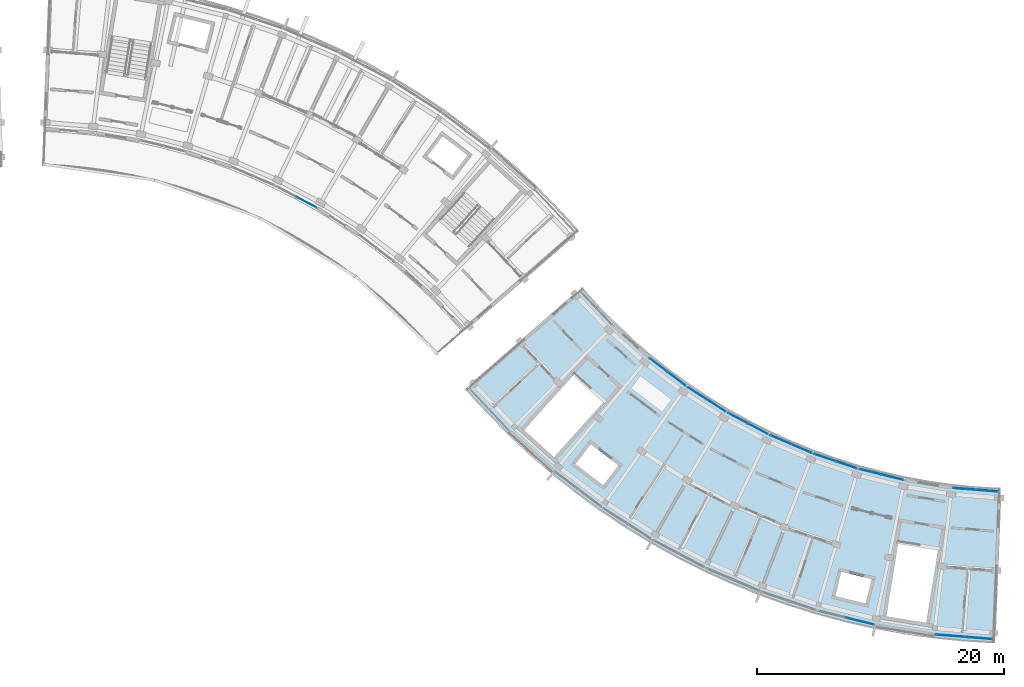
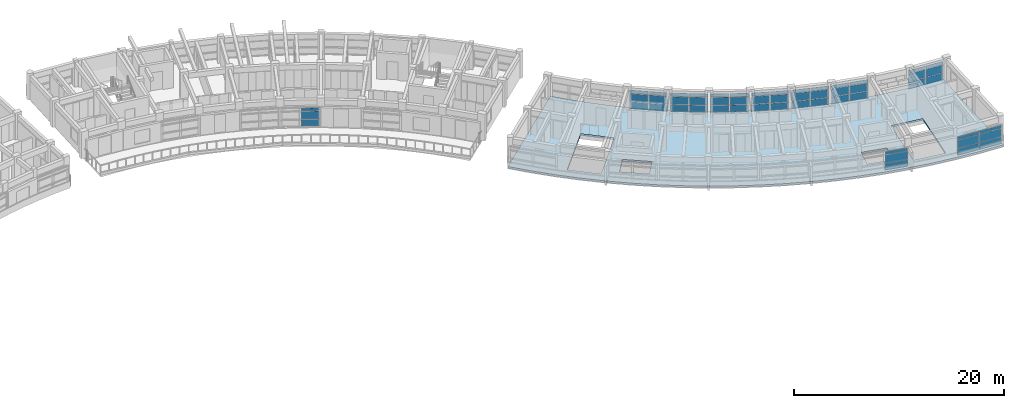
# One storey, part 18 of 38: 54 plates, 1 slab, 10 elements without a shape of their own.
"""IFC4 building model written with IfcOpenShell, lengths in metres."""

from ifc_helpers import new_model, si_unit, direction, frame, origin, origin_2d, place, context, subcontext, project, spatial, polyline, rectangle, outline, extrude, material, layer, layer_set, type_object, element, aggregate, save


model = new_model("IFC4")

# Units and contexts
model_context = context("Model", 3, precision=1e-05, world=origin(), true_north=direction((0.0, 1.0)))
body_context = subcontext(model_context, "Body", "Model", "MODEL_VIEW")
ifc_project = project(units=[si_unit("LENGTHUNIT", "METRE"), si_unit("AREAUNIT", "SQUARE_METRE"), si_unit("VOLUMEUNIT", "CUBIC_METRE"), si_unit("PLANEANGLEUNIT", "RADIAN"), si_unit("MASSUNIT", "GRAM", prefix="KILO")], contexts=[model_context])

# Site, building, storey
site_placement = place(None, origin())
site = spatial("IfcSite", under=ifc_project, at=site_placement, CompositionType="ELEMENT")
building_placement = place(site_placement, origin())
building = spatial("IfcBuilding", under=site, at=building_placement, Name="Zimvara Arc Housing Community", CompositionType="ELEMENT")
storey_placement = place(building_placement, frame((0.0, 0.0, 29.800048828125)))
storey = spatial("IfcBuildingStorey", under=building, at=storey_placement, Name="L09", CompositionType="ELEMENT", Elevation=29.800048828125)

# Curtain wall, plates
ifc_material_1 = material(Name="Anodised Aluminium AW-6063", Category="aluminium")
curtain_wall_type_1 = type_object("IfcCurtainWallType", Name="CW-SYS-08", PredefinedType="USERDEFINED", material=ifc_material_1)
curtain_wall_1_placement = place(storey_placement, origin())
curtain_wall_1 = element("IfcCurtainWall", 1, at=curtain_wall_1_placement, inside=storey, type_object=curtain_wall_type_1, Name="cw:blkC:L09:in:b2", ObjectType="CURTAIN WALL", PredefinedType="USERDEFINED")
ifc_material_2 = material(Name="Pale-Gold Anodised Aluminium Spandrel Panel", Category="aluminium")
ifc_layer_1 = layer(ifc_material_2, 0.035888671875)
ifc_layer_set_1 = layer_set([ifc_layer_1], Name="Pale-Gold Anodised Aluminium Spandrel Panel")
plate_type_1 = type_object("IfcPlateType", Name="CWP-GLD-36", PredefinedType="CURTAIN_PANEL", material=ifc_layer_set_1)
plate_1_placement = place(storey_placement, frame((96.53466796875, 72.728759765625, 0.06494140625), z_axis=(0.0, 0.0, 1.0), x_axis=(0.795473930895, -0.605987809503, 0.0)))
plate_1 = element("IfcPlate", 2, at=plate_1_placement, type_object=plate_type_1, Name="CW08 panel 1.1", PredefinedType="CURTAIN_PANEL", context=body_context, shape_type="SweptSolid", body=[
    extrude(rectangle(XDim=1.778564453125, YDim=0.035888671875, at=origin_2d()), origin(), (0.0, 0.0, 1.0), 0.75244140625),
])
plate_2_placement = place(storey_placement, frame((96.53466796875, 72.728759765625, 0.88232421875), z_axis=(0.0, 0.0, 1.0), x_axis=(0.795473930895, -0.605987809503, 0.0)))
plate_2 = element("IfcPlate", 3, at=plate_2_placement, type_object=plate_type_1, Name="CW08 panel 1.2", PredefinedType="CURTAIN_PANEL", context=body_context, shape_type="SweptSolid", body=[
    extrude(rectangle(XDim=1.778564453125, YDim=0.035888671875, at=origin_2d()), origin(), (0.0, 0.0, 1.0), 0.885009765625),
])
plate_3_placement = place(storey_placement, frame((96.53466796875, 72.728759765625, 1.83251953125), z_axis=(0.0, 0.0, 1.0), x_axis=(0.795473930895, -0.605987809503, 0.0)))
plate_3 = element("IfcPlate", 4, at=plate_3_placement, type_object=plate_type_1, Name="CW08 panel 1.3", PredefinedType="CURTAIN_PANEL", context=body_context, shape_type="SweptSolid", body=[
    extrude(rectangle(XDim=1.778564453125, YDim=0.035888671875, at=origin_2d()), origin(), (0.0, 0.0, 1.0), 0.3525390625),
])
plate_4_placement = place(storey_placement, frame((98.001220703125, 71.611572265625, 0.06494140625), z_axis=(0.0, 0.0, 1.0), x_axis=(0.795473930895, -0.605987809503, 0.0)))
plate_4 = element("IfcPlate", 5, at=plate_4_placement, type_object=plate_type_1, Name="CW08 panel 2.1", PredefinedType="CURTAIN_PANEL", context=body_context, shape_type="SweptSolid", body=[
    extrude(rectangle(XDim=1.778564453125, YDim=0.035888671875, at=origin_2d()), origin(), (0.0, 0.0, 1.0), 0.75244140625),
])
plate_5_placement = place(storey_placement, frame((98.001220703125, 71.611572265625, 0.88232421875), z_axis=(0.0, 0.0, 1.0), x_axis=(0.795473930895, -0.605987809503, 0.0)))
plate_5 = element("IfcPlate", 6, at=plate_5_placement, type_object=plate_type_1, Name="CW08 panel 2.2", PredefinedType="CURTAIN_PANEL", context=body_context, shape_type="SweptSolid", body=[
    extrude(rectangle(XDim=1.778564453125, YDim=0.035888671875, at=origin_2d()), origin(), (0.0, 0.0, 1.0), 0.885009765625),
])
plate_6_placement = place(storey_placement, frame((98.001220703125, 71.611572265625, 1.83251953125), z_axis=(0.0, 0.0, 1.0), x_axis=(0.795473930895, -0.605987809503, 0.0)))
plate_6 = element("IfcPlate", 7, at=plate_6_placement, type_object=plate_type_1, Name="CW08 panel 2.3", PredefinedType="CURTAIN_PANEL", context=body_context, shape_type="SweptSolid", body=[
    extrude(rectangle(XDim=1.778564453125, YDim=0.035888671875, at=origin_2d()), origin(), (0.0, 0.0, 1.0), 0.3525390625),
])
aggregate(curtain_wall_1, [plate_1, plate_2, plate_3, plate_4, plate_5, plate_6])

ifc_material_3 = material(Name="Anodised Aluminium AW-6063", Category="aluminium")
curtain_wall_type_2 = type_object("IfcCurtainWallType", Name="CW-SYS-04", PredefinedType="USERDEFINED", material=ifc_material_3)
curtain_wall_2_placement = place(storey_placement, origin())
curtain_wall_2 = element("IfcCurtainWall", 8, at=curtain_wall_2_placement, inside=storey, type_object=curtain_wall_type_2, Name="cw:blkC:L09:in:b4", ObjectType="CURTAIN WALL", PredefinedType="USERDEFINED")
plate_7_placement = place(storey_placement, frame((102.965576171875, 68.43408203125, 0.06494140625), z_axis=(0.0, 0.0, 1.0), x_axis=(0.883438518424, -0.468547099195, 0.0)))
plate_7 = element("IfcPlate", 9, at=plate_7_placement, type_object=plate_type_1, Name="CW04 panel 1.1", PredefinedType="CURTAIN_PANEL", context=body_context, shape_type="SweptSolid", body=[
    extrude(rectangle(XDim=1.778564453125, YDim=0.035888671875, at=origin_2d()), origin(), (0.0, 0.0, 1.0), 0.75244140625),
])
plate_8_placement = place(storey_placement, frame((102.965576171875, 68.43408203125, 0.88232421875), z_axis=(0.0, 0.0, 1.0), x_axis=(0.883438518424, -0.468547099195, 0.0)))
plate_8 = element("IfcPlate", 10, at=plate_8_placement, type_object=plate_type_1, Name="CW04 panel 1.2", PredefinedType="CURTAIN_PANEL", context=body_context, shape_type="SweptSolid", body=[
    extrude(rectangle(XDim=1.778564453125, YDim=0.035888671875, at=origin_2d()), origin(), (0.0, 0.0, 1.0), 0.885009765625),
])
plate_9_placement = place(storey_placement, frame((102.965576171875, 68.43408203125, 1.83251953125), z_axis=(0.0, 0.0, 1.0), x_axis=(0.883438518424, -0.468547099195, 0.0)))
plate_9 = element("IfcPlate", 11, at=plate_9_placement, type_object=plate_type_1, Name="CW04 panel 1.3", PredefinedType="CURTAIN_PANEL", context=body_context, shape_type="SweptSolid", body=[
    extrude(rectangle(XDim=1.778564453125, YDim=0.035888671875, at=origin_2d()), origin(), (0.0, 0.0, 1.0), 0.3525390625),
])
plate_10_placement = place(storey_placement, frame((104.594482421875, 67.5703125, 0.06494140625), z_axis=(0.0, 0.0, 1.0), x_axis=(0.883438518424, -0.468547099195, 0.0)))
plate_10 = element("IfcPlate", 12, at=plate_10_placement, type_object=plate_type_1, Name="CW04 panel 2.1", PredefinedType="CURTAIN_PANEL", context=body_context, shape_type="SweptSolid", body=[
    extrude(rectangle(XDim=1.778564453125, YDim=0.035888671875, at=origin_2d()), origin(), (0.0, 0.0, 1.0), 0.75244140625),
])
plate_11_placement = place(storey_placement, frame((104.594482421875, 67.5703125, 0.88232421875), z_axis=(0.0, 0.0, 1.0), x_axis=(0.883438518424, -0.468547099195, 0.0)))
plate_11 = element("IfcPlate", 13, at=plate_11_placement, type_object=plate_type_1, Name="CW04 panel 2.2", PredefinedType="CURTAIN_PANEL", context=body_context, shape_type="SweptSolid", body=[
    extrude(rectangle(XDim=1.778564453125, YDim=0.035888671875, at=origin_2d()), origin(), (0.0, 0.0, 1.0), 0.885009765625),
])
plate_12_placement = place(storey_placement, frame((104.594482421875, 67.5703125, 1.83251953125), z_axis=(0.0, 0.0, 1.0), x_axis=(0.883438518424, -0.468547099195, 0.0)))
plate_12 = element("IfcPlate", 14, at=plate_12_placement, type_object=plate_type_1, Name="CW04 panel 2.3", PredefinedType="CURTAIN_PANEL", context=body_context, shape_type="SweptSolid", body=[
    extrude(rectangle(XDim=1.778564453125, YDim=0.035888671875, at=origin_2d()), origin(), (0.0, 0.0, 1.0), 0.3525390625),
])
aggregate(curtain_wall_2, [plate_7, plate_8, plate_9, plate_10, plate_11, plate_12])

curtain_wall_3_placement = place(storey_placement, origin())
curtain_wall_3 = element("IfcCurtainWall", 15, at=curtain_wall_3_placement, inside=storey, type_object=curtain_wall_type_1, Name="cw:blkC:L09:in:b6", ObjectType="CURTAIN WALL", PredefinedType="USERDEFINED")
plate_13_placement = place(storey_placement, frame((110.009521484375, 65.24267578125, 0.06494140625), z_axis=(0.0, 0.0, 1.0), x_axis=(0.94788021002, -0.318626909491, 0.0)))
plate_13 = element("IfcPlate", 16, at=plate_13_placement, type_object=plate_type_1, Name="CW08 panel 1.1", PredefinedType="CURTAIN_PANEL", context=body_context, shape_type="SweptSolid", body=[
    extrude(rectangle(XDim=1.778564453125, YDim=0.035888671875, at=origin_2d()), origin(), (0.0, 0.0, 1.0), 0.75244140625),
])
plate_14_placement = place(storey_placement, frame((110.009521484375, 65.24267578125, 0.88232421875), z_axis=(0.0, 0.0, 1.0), x_axis=(0.94788021002, -0.318626909491, 0.0)))
plate_14 = element("IfcPlate", 17, at=plate_14_placement, type_object=plate_type_1, Name="CW08 panel 1.2", PredefinedType="CURTAIN_PANEL", context=body_context, shape_type="SweptSolid", body=[
    extrude(rectangle(XDim=1.778564453125, YDim=0.035888671875, at=origin_2d()), origin(), (0.0, 0.0, 1.0), 0.885009765625),
])
plate_15_placement = place(storey_placement, frame((110.009521484375, 65.24267578125, 1.83251953125), z_axis=(0.0, 0.0, 1.0), x_axis=(0.94788021002, -0.318626909491, 0.0)))
plate_15 = element("IfcPlate", 18, at=plate_15_placement, type_object=plate_type_1, Name="CW08 panel 1.3", PredefinedType="CURTAIN_PANEL", context=body_context, shape_type="SweptSolid", body=[
    extrude(rectangle(XDim=1.778564453125, YDim=0.035888671875, at=origin_2d()), origin(), (0.0, 0.0, 1.0), 0.3525390625),
])
plate_16_placement = place(storey_placement, frame((111.757080078125, 64.6552734375, 0.06494140625), z_axis=(0.0, 0.0, 1.0), x_axis=(0.94788021002, -0.318626909491, 0.0)))
plate_16 = element("IfcPlate", 19, at=plate_16_placement, type_object=plate_type_1, Name="CW08 panel 2.1", PredefinedType="CURTAIN_PANEL", context=body_context, shape_type="SweptSolid", body=[
    extrude(rectangle(XDim=1.778564453125, YDim=0.035888671875, at=origin_2d()), origin(), (0.0, 0.0, 1.0), 0.75244140625),
])
plate_17_placement = place(storey_placement, frame((111.757080078125, 64.6552734375, 0.88232421875), z_axis=(0.0, 0.0, 1.0), x_axis=(0.94788021002, -0.318626909491, 0.0)))
plate_17 = element("IfcPlate", 20, at=plate_17_placement, type_object=plate_type_1, Name="CW08 panel 2.2", PredefinedType="CURTAIN_PANEL", context=body_context, shape_type="SweptSolid", body=[
    extrude(rectangle(XDim=1.778564453125, YDim=0.035888671875, at=origin_2d()), origin(), (0.0, 0.0, 1.0), 0.885009765625),
])
plate_18_placement = place(storey_placement, frame((111.757080078125, 64.6552734375, 1.83251953125), z_axis=(0.0, 0.0, 1.0), x_axis=(0.94788021002, -0.318626909491, 0.0)))
plate_18 = element("IfcPlate", 21, at=plate_18_placement, type_object=plate_type_1, Name="CW08 panel 2.3", PredefinedType="CURTAIN_PANEL", context=body_context, shape_type="SweptSolid", body=[
    extrude(rectangle(XDim=1.778564453125, YDim=0.035888671875, at=origin_2d()), origin(), (0.0, 0.0, 1.0), 0.3525390625),
])
aggregate(curtain_wall_3, [plate_13, plate_14, plate_15, plate_16, plate_17, plate_18])

curtain_wall_4_placement = place(storey_placement, origin())
curtain_wall_4 = element("IfcCurtainWall", 22, at=curtain_wall_4_placement, inside=storey, type_object=curtain_wall_type_2, Name="cw:blkC:L09:in:b9", ObjectType="CURTAIN WALL", PredefinedType="USERDEFINED")
plate_19_placement = place(storey_placement, frame((121.310791015625, 62.701171875, 0.06494140625), z_axis=(0.0, 0.0, 1.0), x_axis=(0.996862312384, -0.079155101851, 0.0)))
plate_19 = element("IfcPlate", 23, at=plate_19_placement, type_object=plate_type_1, Name="CW04 panel 1.1", PredefinedType="CURTAIN_PANEL", context=body_context, shape_type="SweptSolid", body=[
    extrude(rectangle(XDim=1.778564453125, YDim=0.035888671875, at=origin_2d()), origin(), (0.0, 0.0, 1.0), 0.75244140625),
])
plate_20_placement = place(storey_placement, frame((121.310791015625, 62.701171875, 0.88232421875), z_axis=(0.0, 0.0, 1.0), x_axis=(0.996862312384, -0.079155101851, 0.0)))
plate_20 = element("IfcPlate", 24, at=plate_20_placement, type_object=plate_type_1, Name="CW04 panel 1.2", PredefinedType="CURTAIN_PANEL", context=body_context, shape_type="SweptSolid", body=[
    extrude(rectangle(XDim=1.778564453125, YDim=0.035888671875, at=origin_2d()), origin(), (0.0, 0.0, 1.0), 0.885009765625),
])
plate_21_placement = place(storey_placement, frame((121.310791015625, 62.701171875, 1.83251953125), z_axis=(0.0, 0.0, 1.0), x_axis=(0.996862312384, -0.079155101851, 0.0)))
plate_21 = element("IfcPlate", 25, at=plate_21_placement, type_object=plate_type_1, Name="CW04 panel 1.3", PredefinedType="CURTAIN_PANEL", context=body_context, shape_type="SweptSolid", body=[
    extrude(rectangle(XDim=1.778564453125, YDim=0.035888671875, at=origin_2d()), origin(), (0.0, 0.0, 1.0), 0.3525390625),
])
plate_22_placement = place(storey_placement, frame((123.1484375, 62.55517578125, 0.06494140625), z_axis=(0.0, 0.0, 1.0), x_axis=(0.996862312384, -0.079155101851, 0.0)))
plate_22 = element("IfcPlate", 26, at=plate_22_placement, type_object=plate_type_1, Name="CW04 panel 2.1", PredefinedType="CURTAIN_PANEL", context=body_context, shape_type="SweptSolid", body=[
    extrude(rectangle(XDim=1.778564453125, YDim=0.035888671875, at=origin_2d()), origin(), (0.0, 0.0, 1.0), 0.75244140625),
])
plate_23_placement = place(storey_placement, frame((123.1484375, 62.55517578125, 0.88232421875), z_axis=(0.0, 0.0, 1.0), x_axis=(0.996862312384, -0.079155101851, 0.0)))
plate_23 = element("IfcPlate", 27, at=plate_23_placement, type_object=plate_type_1, Name="CW04 panel 2.2", PredefinedType="CURTAIN_PANEL", context=body_context, shape_type="SweptSolid", body=[
    extrude(rectangle(XDim=1.778564453125, YDim=0.035888671875, at=origin_2d()), origin(), (0.0, 0.0, 1.0), 0.885009765625),
])
plate_24_placement = place(storey_placement, frame((123.1484375, 62.55517578125, 1.83251953125), z_axis=(0.0, 0.0, 1.0), x_axis=(0.996862312384, -0.079155101851, 0.0)))
plate_24 = element("IfcPlate", 28, at=plate_24_placement, type_object=plate_type_1, Name="CW04 panel 2.3", PredefinedType="CURTAIN_PANEL", context=body_context, shape_type="SweptSolid", body=[
    extrude(rectangle(XDim=1.778564453125, YDim=0.035888671875, at=origin_2d()), origin(), (0.0, 0.0, 1.0), 0.3525390625),
])
aggregate(curtain_wall_4, [plate_19, plate_20, plate_21, plate_22, plate_23, plate_24])

ifc_material_4 = material(Name="Anodised Aluminium AW-6063", Category="aluminium")
curtain_wall_type_3 = type_object("IfcCurtainWallType", Name="CW-SYS-01", PredefinedType="USERDEFINED", material=ifc_material_4)
curtain_wall_5_placement = place(storey_placement, origin())
curtain_wall_5 = element("IfcCurtainWall", 29, at=curtain_wall_5_placement, inside=storey, type_object=curtain_wall_type_3, Name="cw:blkC:L09:out:b7", ObjectType="CURTAIN WALL", PredefinedType="USERDEFINED")
ifc_material_5 = material(Name="Solar Control Low-E Double Glazing", Category="glass")
ifc_layer_2 = layer(ifc_material_5, 0.02392578125)
ifc_layer_set_2 = layer_set([ifc_layer_2], Name="Solar Control Low-E Double Glazing")
plate_type_2 = type_object("IfcPlateType", Name="CWP-GLZ-24", PredefinedType="CURTAIN_PANEL", material=ifc_layer_set_2)
plate_25_placement = place(storey_placement, frame((112.85888671875, 51.98681640625, 0.06494140625), z_axis=(0.0, 0.0, 1.0), x_axis=(0.970716068627, -0.240229711131, 0.0)))
plate_25 = element("IfcPlate", 30, at=plate_25_placement, type_object=plate_type_2, Name="CW01 panel 2.1", PredefinedType="CURTAIN_PANEL", context=body_context, shape_type="SweptSolid", body=[
    extrude(rectangle(XDim=2.266845703125, YDim=0.02392578125, at=origin_2d()), origin(), (0.0, 0.0, 1.0), 0.75244140625),
])
plate_26_placement = place(storey_placement, frame((112.85888671875, 51.98681640625, 0.88232421875), z_axis=(0.0, 0.0, 1.0), x_axis=(0.970716068627, -0.240229711131, 0.0)))
plate_26 = element("IfcPlate", 31, at=plate_26_placement, type_object=plate_type_2, Name="CW01 panel 2.2", PredefinedType="CURTAIN_PANEL", context=body_context, shape_type="SweptSolid", body=[
    extrude(rectangle(XDim=2.266845703125, YDim=0.02392578125, at=origin_2d()), origin(), (0.0, 0.0, 1.0), 0.885009765625),
])
plate_27_placement = place(storey_placement, frame((112.85888671875, 51.98681640625, 1.83251953125), z_axis=(0.0, 0.0, 1.0), x_axis=(0.970716068627, -0.240229711131, 0.0)))
plate_27 = element("IfcPlate", 32, at=plate_27_placement, type_object=plate_type_2, Name="CW01 panel 2.3", PredefinedType="CURTAIN_PANEL", context=body_context, shape_type="SweptSolid", body=[
    extrude(rectangle(XDim=2.266845703125, YDim=0.02392578125, at=origin_2d()), origin(), (0.0, 0.0, 1.0), 0.3525390625),
])
aggregate(curtain_wall_5, [plate_25, plate_26, plate_27])

ifc_material_6 = material(Name="Anodised Aluminium AW-6063", Category="aluminium")
curtain_wall_type_4 = type_object("IfcCurtainWallType", Name="CW-SYS-02", PredefinedType="USERDEFINED", material=ifc_material_6)
curtain_wall_6_placement = place(storey_placement, origin())
curtain_wall_6 = element("IfcCurtainWall", 33, at=curtain_wall_6_placement, inside=storey, type_object=curtain_wall_type_4, Name="cw:blkB:L09:in:b5", ObjectType="CURTAIN WALL", PredefinedType="USERDEFINED")
ifc_material_7 = material(Name="Solar Control Low-E Double Glazing", Category="glass")
ifc_layer_3 = layer(ifc_material_7, 0.028076171875)
ifc_layer_set_3 = layer_set([ifc_layer_3], Name="Solar Control Low-E Double Glazing")
plate_type_3 = type_object("IfcPlateType", Name="CWP-GLZ-28", PredefinedType="CURTAIN_PANEL", material=ifc_layer_set_3)
plate_28_placement = place(storey_placement, frame((68.014404296875, 85.92578125, 0.06494140625), z_axis=(0.0, 0.0, 1.0), x_axis=(0.883438518424, -0.468547099195, 0.0)))
plate_28 = element("IfcPlate", 34, at=plate_28_placement, type_object=plate_type_3, Name="CW02 panel 2.1", PredefinedType="CURTAIN_PANEL", context=body_context, shape_type="SweptSolid", body=[
    extrude(rectangle(XDim=1.778564453125, YDim=0.028076171875, at=origin_2d()), origin(), (0.0, 0.0, 1.0), 0.75244140625),
])
plate_29_placement = place(storey_placement, frame((68.014404296875, 85.92578125, 0.88232421875), z_axis=(0.0, 0.0, 1.0), x_axis=(0.883438518424, -0.468547099195, 0.0)))
plate_29 = element("IfcPlate", 35, at=plate_29_placement, type_object=plate_type_3, Name="CW02 panel 2.2", PredefinedType="CURTAIN_PANEL", context=body_context, shape_type="SweptSolid", body=[
    extrude(rectangle(XDim=1.778564453125, YDim=0.028076171875, at=origin_2d()), origin(), (0.0, 0.0, 1.0), 0.885009765625),
])
plate_30_placement = place(storey_placement, frame((68.014404296875, 85.92578125, 1.83251953125), z_axis=(0.0, 0.0, 1.0), x_axis=(0.883438518424, -0.468547099195, 0.0)))
plate_30 = element("IfcPlate", 36, at=plate_30_placement, type_object=plate_type_3, Name="CW02 panel 2.3", PredefinedType="CURTAIN_PANEL", context=body_context, shape_type="SweptSolid", body=[
    extrude(rectangle(XDim=1.778564453125, YDim=0.028076171875, at=origin_2d()), origin(), (0.0, 0.0, 1.0), 0.3525390625),
])
aggregate(curtain_wall_6, [plate_28, plate_29, plate_30])

curtain_wall_7_placement = place(storey_placement, origin())
curtain_wall_7 = element("IfcCurtainWall", 37, at=curtain_wall_7_placement, inside=storey, type_object=curtain_wall_type_4, Name="cw:blkC:L09:in:b3", ObjectType="CURTAIN WALL", PredefinedType="USERDEFINED")
plate_31_placement = place(storey_placement, frame((99.662353515625, 70.449951171875, 0.06494140625), z_axis=(0.0, 0.0, 1.0), x_axis=(0.842264092079, -0.539065115913, 0.0)))
plate_31 = element("IfcPlate", 38, at=plate_31_placement, type_object=plate_type_3, Name="CW02 panel 1.1", PredefinedType="CURTAIN_PANEL", context=body_context, shape_type="SweptSolid", body=[
    extrude(rectangle(XDim=1.778564453125, YDim=0.028076171875, at=origin_2d()), origin(), (0.0, 0.0, 1.0), 0.75244140625),
])
plate_32_placement = place(storey_placement, frame((99.662353515625, 70.449951171875, 0.88232421875), z_axis=(0.0, 0.0, 1.0), x_axis=(0.842264092079, -0.539065115913, 0.0)))
plate_32 = element("IfcPlate", 39, at=plate_32_placement, type_object=plate_type_3, Name="CW02 panel 1.2", PredefinedType="CURTAIN_PANEL", context=body_context, shape_type="SweptSolid", body=[
    extrude(rectangle(XDim=1.778564453125, YDim=0.028076171875, at=origin_2d()), origin(), (0.0, 0.0, 1.0), 0.885009765625),
])
plate_33_placement = place(storey_placement, frame((99.662353515625, 70.449951171875, 1.83251953125), z_axis=(0.0, 0.0, 1.0), x_axis=(0.842264092079, -0.539065115913, 0.0)))
plate_33 = element("IfcPlate", 40, at=plate_33_placement, type_object=plate_type_3, Name="CW02 panel 1.3", PredefinedType="CURTAIN_PANEL", context=body_context, shape_type="SweptSolid", body=[
    extrude(rectangle(XDim=1.778564453125, YDim=0.028076171875, at=origin_2d()), origin(), (0.0, 0.0, 1.0), 0.3525390625),
])
plate_34_placement = place(storey_placement, frame((101.21533203125, 69.456298828125, 0.06494140625), z_axis=(0.0, 0.0, 1.0), x_axis=(0.842264092079, -0.539065115913, 0.0)))
plate_34 = element("IfcPlate", 41, at=plate_34_placement, type_object=plate_type_3, Name="CW02 panel 2.1", PredefinedType="CURTAIN_PANEL", context=body_context, shape_type="SweptSolid", body=[
    extrude(rectangle(XDim=1.778564453125, YDim=0.028076171875, at=origin_2d()), origin(), (0.0, 0.0, 1.0), 0.75244140625),
])
plate_35_placement = place(storey_placement, frame((101.21533203125, 69.456298828125, 0.88232421875), z_axis=(0.0, 0.0, 1.0), x_axis=(0.842264092079, -0.539065115913, 0.0)))
plate_35 = element("IfcPlate", 42, at=plate_35_placement, type_object=plate_type_3, Name="CW02 panel 2.2", PredefinedType="CURTAIN_PANEL", context=body_context, shape_type="SweptSolid", body=[
    extrude(rectangle(XDim=1.778564453125, YDim=0.028076171875, at=origin_2d()), origin(), (0.0, 0.0, 1.0), 0.885009765625),
])
plate_36_placement = place(storey_placement, frame((101.21533203125, 69.456298828125, 1.83251953125), z_axis=(0.0, 0.0, 1.0), x_axis=(0.842264092079, -0.539065115913, 0.0)))
plate_36 = element("IfcPlate", 43, at=plate_36_placement, type_object=plate_type_3, Name="CW02 panel 2.3", PredefinedType="CURTAIN_PANEL", context=body_context, shape_type="SweptSolid", body=[
    extrude(rectangle(XDim=1.778564453125, YDim=0.028076171875, at=origin_2d()), origin(), (0.0, 0.0, 1.0), 0.3525390625),
])
aggregate(curtain_wall_7, [plate_31, plate_32, plate_33, plate_34, plate_35, plate_36])

ifc_material_8 = material(Name="Anodised Aluminium AW-6063", Category="aluminium")
curtain_wall_type_5 = type_object("IfcCurtainWallType", Name="CW-SYS-06", PredefinedType="USERDEFINED", material=ifc_material_8)
curtain_wall_8_placement = place(storey_placement, origin())
curtain_wall_8 = element("IfcCurtainWall", 44, at=curtain_wall_8_placement, inside=storey, type_object=curtain_wall_type_5, Name="cw:blkC:L09:in:b5", ObjectType="CURTAIN WALL", PredefinedType="USERDEFINED")
plate_37_placement = place(storey_placement, frame((106.42236328125, 66.694580078125, 0.06494140625), z_axis=(0.0, 0.0, 1.0), x_axis=(0.918722411261, -0.394903951674, 0.0)))
plate_37 = element("IfcPlate", 45, at=plate_37_placement, type_object=plate_type_3, Name="CW06 panel 1.1", PredefinedType="CURTAIN_PANEL", context=body_context, shape_type="SweptSolid", body=[
    extrude(rectangle(XDim=1.778564453125, YDim=0.028076171875, at=origin_2d()), origin(), (0.0, 0.0, 1.0), 0.75244140625),
])
plate_38_placement = place(storey_placement, frame((106.42236328125, 66.694580078125, 0.88232421875), z_axis=(0.0, 0.0, 1.0), x_axis=(0.918722411261, -0.394903951674, 0.0)))
plate_38 = element("IfcPlate", 46, at=plate_38_placement, type_object=plate_type_3, Name="CW06 panel 1.2", PredefinedType="CURTAIN_PANEL", context=body_context, shape_type="SweptSolid", body=[
    extrude(rectangle(XDim=1.778564453125, YDim=0.028076171875, at=origin_2d()), origin(), (0.0, 0.0, 1.0), 0.885009765625),
])
plate_39_placement = place(storey_placement, frame((106.42236328125, 66.694580078125, 1.83251953125), z_axis=(0.0, 0.0, 1.0), x_axis=(0.918722411261, -0.394903951674, 0.0)))
plate_39 = element("IfcPlate", 47, at=plate_39_placement, type_object=plate_type_3, Name="CW06 panel 1.3", PredefinedType="CURTAIN_PANEL", context=body_context, shape_type="SweptSolid", body=[
    extrude(rectangle(XDim=1.778564453125, YDim=0.028076171875, at=origin_2d()), origin(), (0.0, 0.0, 1.0), 0.3525390625),
])
plate_40_placement = place(storey_placement, frame((108.1162109375, 65.966552734375, 0.06494140625), z_axis=(0.0, 0.0, 1.0), x_axis=(0.918722411261, -0.394903951674, 0.0)))
plate_40 = element("IfcPlate", 48, at=plate_40_placement, type_object=plate_type_3, Name="CW06 panel 2.1", PredefinedType="CURTAIN_PANEL", context=body_context, shape_type="SweptSolid", body=[
    extrude(rectangle(XDim=1.778564453125, YDim=0.028076171875, at=origin_2d()), origin(), (0.0, 0.0, 1.0), 0.75244140625),
])
plate_41_placement = place(storey_placement, frame((108.1162109375, 65.966552734375, 0.88232421875), z_axis=(0.0, 0.0, 1.0), x_axis=(0.918722411261, -0.394903951674, 0.0)))
plate_41 = element("IfcPlate", 49, at=plate_41_placement, type_object=plate_type_3, Name="CW06 panel 2.2", PredefinedType="CURTAIN_PANEL", context=body_context, shape_type="SweptSolid", body=[
    extrude(rectangle(XDim=1.778564453125, YDim=0.028076171875, at=origin_2d()), origin(), (0.0, 0.0, 1.0), 0.885009765625),
])
plate_42_placement = place(storey_placement, frame((108.1162109375, 65.966552734375, 1.83251953125), z_axis=(0.0, 0.0, 1.0), x_axis=(0.918722411261, -0.394903951674, 0.0)))
plate_42 = element("IfcPlate", 50, at=plate_42_placement, type_object=plate_type_3, Name="CW06 panel 2.3", PredefinedType="CURTAIN_PANEL", context=body_context, shape_type="SweptSolid", body=[
    extrude(rectangle(XDim=1.778564453125, YDim=0.028076171875, at=origin_2d()), origin(), (0.0, 0.0, 1.0), 0.3525390625),
])
aggregate(curtain_wall_8, [plate_37, plate_38, plate_39, plate_40, plate_41, plate_42])

curtain_wall_9_placement = place(storey_placement, origin())
curtain_wall_9 = element("IfcCurtainWall", 51, at=curtain_wall_9_placement, inside=storey, type_object=curtain_wall_type_4, Name="cw:blkC:L09:in:b7", ObjectType="CURTAIN WALL", PredefinedType="USERDEFINED")
plate_43_placement = place(storey_placement, frame((113.703125, 64.08837890625, 0.06494140625), z_axis=(0.0, 0.0, 1.0), x_axis=(0.970716198507, -0.240229186313, 0.0)))
plate_43 = element("IfcPlate", 52, at=plate_43_placement, type_object=plate_type_3, Name="CW02 panel 1.1", PredefinedType="CURTAIN_PANEL", context=body_context, shape_type="SweptSolid", body=[
    extrude(rectangle(XDim=1.778564453125, YDim=0.028076171875, at=origin_2d()), origin(), (0.0, 0.0, 1.0), 0.75244140625),
])
plate_44_placement = place(storey_placement, frame((113.703125, 64.08837890625, 0.88232421875), z_axis=(0.0, 0.0, 1.0), x_axis=(0.970716198507, -0.240229186313, 0.0)))
plate_44 = element("IfcPlate", 53, at=plate_44_placement, type_object=plate_type_3, Name="CW02 panel 1.2", PredefinedType="CURTAIN_PANEL", context=body_context, shape_type="SweptSolid", body=[
    extrude(rectangle(XDim=1.778564453125, YDim=0.028076171875, at=origin_2d()), origin(), (0.0, 0.0, 1.0), 0.885009765625),
])
plate_45_placement = place(storey_placement, frame((113.703125, 64.08837890625, 1.83251953125), z_axis=(0.0, 0.0, 1.0), x_axis=(0.970716198507, -0.240229186313, 0.0)))
plate_45 = element("IfcPlate", 54, at=plate_45_placement, type_object=plate_type_3, Name="CW02 panel 1.3", PredefinedType="CURTAIN_PANEL", context=body_context, shape_type="SweptSolid", body=[
    extrude(rectangle(XDim=1.778564453125, YDim=0.028076171875, at=origin_2d()), origin(), (0.0, 0.0, 1.0), 0.3525390625),
])
plate_46_placement = place(storey_placement, frame((115.49267578125, 63.6455078125, 0.06494140625), z_axis=(0.0, 0.0, 1.0), x_axis=(0.970716198507, -0.240229186313, 0.0)))
plate_46 = element("IfcPlate", 55, at=plate_46_placement, type_object=plate_type_3, Name="CW02 panel 2.1", PredefinedType="CURTAIN_PANEL", context=body_context, shape_type="SweptSolid", body=[
    extrude(rectangle(XDim=1.778564453125, YDim=0.028076171875, at=origin_2d()), origin(), (0.0, 0.0, 1.0), 0.75244140625),
])
plate_47_placement = place(storey_placement, frame((115.49267578125, 63.6455078125, 0.88232421875), z_axis=(0.0, 0.0, 1.0), x_axis=(0.970716198507, -0.240229186313, 0.0)))
plate_47 = element("IfcPlate", 56, at=plate_47_placement, type_object=plate_type_3, Name="CW02 panel 2.2", PredefinedType="CURTAIN_PANEL", context=body_context, shape_type="SweptSolid", body=[
    extrude(rectangle(XDim=1.778564453125, YDim=0.028076171875, at=origin_2d()), origin(), (0.0, 0.0, 1.0), 0.885009765625),
])
plate_48_placement = place(storey_placement, frame((115.49267578125, 63.6455078125, 1.83251953125), z_axis=(0.0, 0.0, 1.0), x_axis=(0.970716198507, -0.240229186313, 0.0)))
plate_48 = element("IfcPlate", 57, at=plate_48_placement, type_object=plate_type_3, Name="CW02 panel 2.3", PredefinedType="CURTAIN_PANEL", context=body_context, shape_type="SweptSolid", body=[
    extrude(rectangle(XDim=1.778564453125, YDim=0.028076171875, at=origin_2d()), origin(), (0.0, 0.0, 1.0), 0.3525390625),
])
aggregate(curtain_wall_9, [plate_43, plate_44, plate_45, plate_46, plate_47, plate_48])

ifc_material_9 = material(Name="Anodised Aluminium AW-6063", Category="aluminium")
curtain_wall_type_6 = type_object("IfcCurtainWallType", Name="CW-SYS-03", PredefinedType="USERDEFINED", material=ifc_material_9)
curtain_wall_10_placement = place(storey_placement, origin())
curtain_wall_10 = element("IfcCurtainWall", 58, at=curtain_wall_10_placement, inside=storey, type_object=curtain_wall_type_6, Name="cw:blkC:L09:out:b9", ObjectType="CURTAIN WALL", PredefinedType="USERDEFINED")
ifc_material_10 = material(Name="Acoustic Laminated Solar Glazing", Category="glass")
ifc_layer_4 = layer(ifc_material_10, 0.031982421875)
ifc_layer_set_4 = layer_set([ifc_layer_4], Name="Acoustic Laminated Solar Glazing")
plate_type_4 = type_object("IfcPlateType", Name="CWP-GLZ-32", PredefinedType="CURTAIN_PANEL", material=ifc_layer_set_4)
plate_49_placement = place(storey_placement, frame((120.121337890625, 50.807861328125, 0.06494140625), z_axis=(0.0, 0.0, 1.0), x_axis=(0.996862418963, -0.079153759607, 0.0)))
plate_49 = element("IfcPlate", 59, at=plate_49_placement, type_object=plate_type_4, Name="CW03 panel 1.1", PredefinedType="CURTAIN_PANEL", context=body_context, shape_type="SweptSolid", body=[
    extrude(rectangle(XDim=2.266845703125, YDim=0.031982421875, at=origin_2d()), origin(), (0.0, 0.0, 1.0), 0.75244140625),
])
plate_50_placement = place(storey_placement, frame((120.121337890625, 50.807861328125, 0.88232421875), z_axis=(0.0, 0.0, 1.0), x_axis=(0.996862418963, -0.079153759607, 0.0)))
plate_50 = element("IfcPlate", 60, at=plate_50_placement, type_object=plate_type_4, Name="CW03 panel 1.2", PredefinedType="CURTAIN_PANEL", context=body_context, shape_type="SweptSolid", body=[
    extrude(rectangle(XDim=2.266845703125, YDim=0.031982421875, at=origin_2d()), origin(), (0.0, 0.0, 1.0), 0.885009765625),
])
plate_51_placement = place(storey_placement, frame((120.121337890625, 50.807861328125, 1.83251953125), z_axis=(0.0, 0.0, 1.0), x_axis=(0.996862418963, -0.079153759607, 0.0)))
plate_51 = element("IfcPlate", 61, at=plate_51_placement, type_object=plate_type_4, Name="CW03 panel 1.3", PredefinedType="CURTAIN_PANEL", context=body_context, shape_type="SweptSolid", body=[
    extrude(rectangle(XDim=2.266845703125, YDim=0.031982421875, at=origin_2d()), origin(), (0.0, 0.0, 1.0), 0.3525390625),
])
plate_52_placement = place(storey_placement, frame((122.446044921875, 50.623291015625, 0.06494140625), z_axis=(0.0, 0.0, 1.0), x_axis=(0.996862418963, -0.079153759607, 0.0)))
plate_52 = element("IfcPlate", 62, at=plate_52_placement, type_object=plate_type_4, Name="CW03 panel 2.1", PredefinedType="CURTAIN_PANEL", context=body_context, shape_type="SweptSolid", body=[
    extrude(rectangle(XDim=2.266845703125, YDim=0.031982421875, at=origin_2d()), origin(), (0.0, 0.0, 1.0), 0.75244140625),
])
plate_53_placement = place(storey_placement, frame((122.446044921875, 50.623291015625, 0.88232421875), z_axis=(0.0, 0.0, 1.0), x_axis=(0.996862418963, -0.079153759607, 0.0)))
plate_53 = element("IfcPlate", 63, at=plate_53_placement, type_object=plate_type_4, Name="CW03 panel 2.2", PredefinedType="CURTAIN_PANEL", context=body_context, shape_type="SweptSolid", body=[
    extrude(rectangle(XDim=2.266845703125, YDim=0.031982421875, at=origin_2d()), origin(), (0.0, 0.0, 1.0), 0.885009765625),
])
plate_54_placement = place(storey_placement, frame((122.446044921875, 50.623291015625, 1.83251953125), z_axis=(0.0, 0.0, 1.0), x_axis=(0.996862418963, -0.079153759607, 0.0)))
plate_54 = element("IfcPlate", 64, at=plate_54_placement, type_object=plate_type_4, Name="CW03 panel 2.3", PredefinedType="CURTAIN_PANEL", context=body_context, shape_type="SweptSolid", body=[
    extrude(rectangle(XDim=2.266845703125, YDim=0.031982421875, at=origin_2d()), origin(), (0.0, 0.0, 1.0), 0.3525390625),
])
aggregate(curtain_wall_10, [plate_49, plate_50, plate_51, plate_52, plate_53, plate_54])

# Slab
ifc_material_11 = material(Name="Concrete C35/45", Category="concrete")
ifc_layer_5 = layer(ifc_material_11, 0.2080078125)
ifc_layer_set_5 = layer_set([ifc_layer_5], Name="Concrete C35/45")
slab_type = type_object("IfcSlabType", Name="SLB-VAR-01", PredefinedType="FLOOR", material=ifc_layer_set_5)
slab_placement = place(storey_placement, frame((0.0, 0.0, -0.2080078125)))
element("IfcSlab", 65, at=slab_placement, inside=storey, type_object=slab_type, Name="slab:blkC:L09:main", PredefinedType="FLOOR", context=body_context, shape_type="SweptSolid", body=[
    extrude(outline(polyline([(80.999267578125, 70.7587890625), (82.63330078125, 68.954833984375), (84.339599609375, 67.21923828125), (86.115234375, 65.5546875), (87.95751953125, 63.9638671875), (89.863037109375, 62.44970703125), (91.828857421875, 61.0146484375), (93.851806640625, 59.6611328125), (95.92822265625, 58.39111328125), (98.0546875, 57.20703125), (100.227783203125, 56.11083984375), (102.443603515625, 55.104248046875), (104.698974609375, 54.188720703125), (106.98974609375, 53.366455078125), (109.312255859375, 52.63818359375), (111.662353515625, 52.00537109375), (114.03662109375, 51.468994140625), (116.430419921875, 51.030029296875), (118.840576171875, 50.689208984375), (121.262451171875, 50.447021484375), (123.692138671875, 50.303955078125), (124.16796875, 62.69482421875), (122.243896484375, 62.80810546875), (120.325927734375, 63.0), (118.417236328125, 63.269775390625), (116.521484375, 63.617431640625), (114.641357421875, 64.042236328125), (112.780029296875, 64.54345703125), (110.940673828125, 65.1201171875), (109.12646484375, 65.771484375), (107.340576171875, 66.496337890625), (105.58544921875, 67.29345703125), (103.864501953125, 68.16162109375), (102.180419921875, 69.099365234375), (100.5361328125, 70.105224609375), (98.93408203125, 71.17724609375), (97.37744140625, 72.313720703125), (95.8681640625, 73.5126953125), (94.4091796875, 74.7724609375), (93.0029296875, 76.0908203125), (91.651611328125, 77.46533203125), (90.357666015625, 78.89404296875), (80.999267578125, 70.7587890625)]), holes=[polyline([(92.150390625, 69.81005859375), (88.070068359375, 65.275390625), (85.6318359375, 67.46923828125), (89.7119140625, 72.00390625), (92.150390625, 69.81005859375)]), polyline([(119.202880859375, 57.874267578125), (118.2255859375, 51.85302734375), (114.988037109375, 52.378662109375), (115.96533203125, 58.399658203125), (119.202880859375, 57.874267578125)]), polyline([(93.29541015625, 64.612060546875), (92.05908203125, 62.9892578125), (89.800048828125, 64.710205078125), (91.036376953125, 66.3330078125), (93.29541015625, 64.612060546875)]), polyline([(113.80810546875, 55.388916015625), (113.318115234375, 53.40869140625), (110.852294921875, 54.018798828125), (111.342529296875, 55.9990234375), (113.80810546875, 55.388916015625)])]), origin(), (0.0, 0.0, 1.0), 0.2080078125),
])

save(model, "model.ifc")
